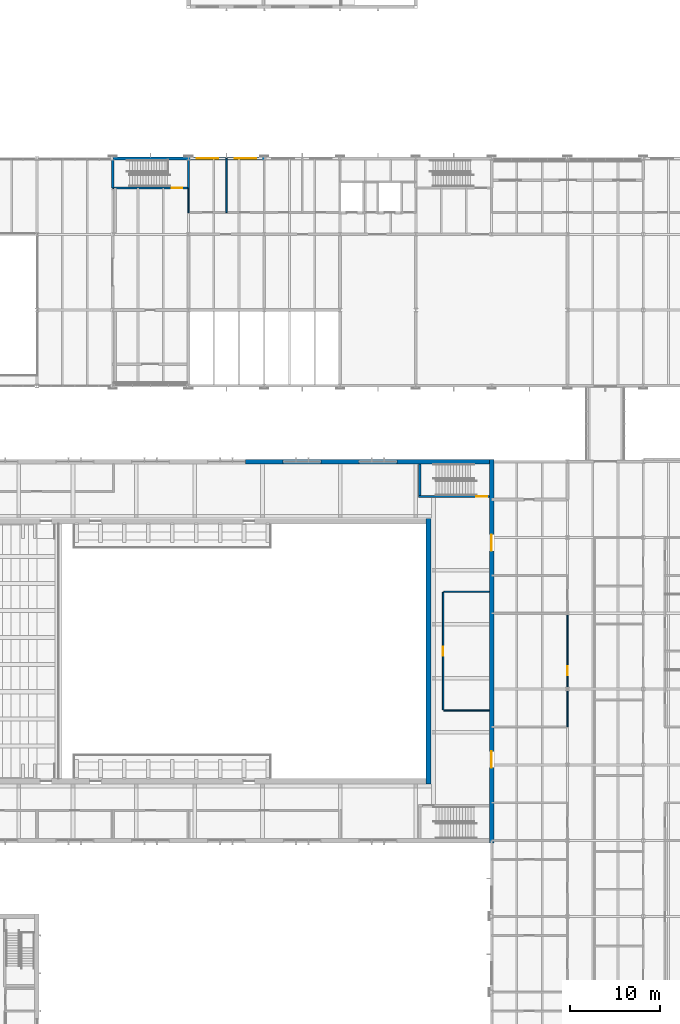
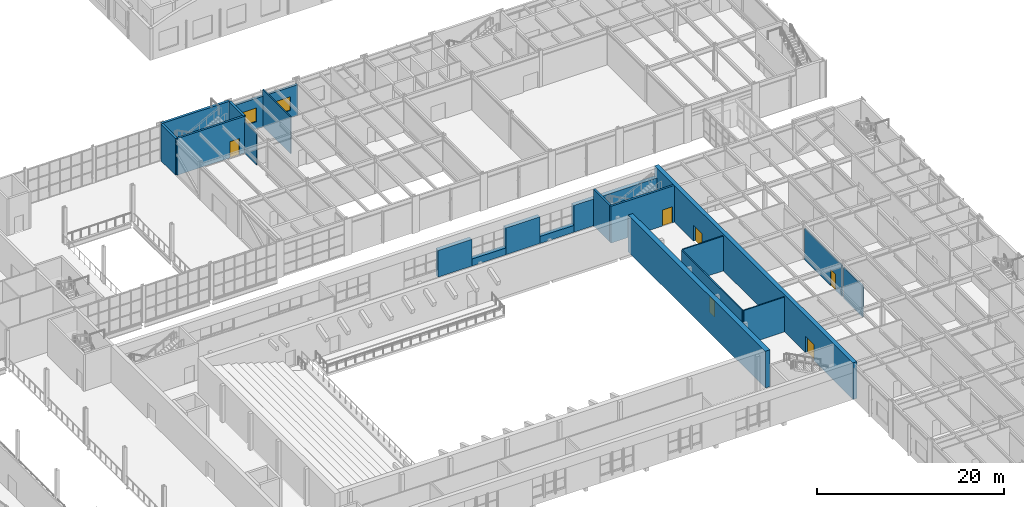
# One storey, part 80 of 127: 21 walls, 6 doors, 2 windows, 8 openings.
"""IFC4 building model written with IfcOpenShell, lengths in metres."""

from ifc_helpers import new_model, si_unit, direction, frame, frame_2d, origin, place, context, subcontext, project, spatial, rectangle, extrude, material, layer, layer_set, type_object, element, fill, save


model = new_model("IFC4")

# Units and contexts
model_context = context("Model", 3, precision=1e-05, world=origin(), true_north=direction((0.0, 1.0)))
body_context = subcontext(model_context, "Body", "Model", "MODEL_VIEW")
ifc_project = project(units=[si_unit("LENGTHUNIT", "METRE"), si_unit("AREAUNIT", "SQUARE_METRE"), si_unit("VOLUMEUNIT", "CUBIC_METRE"), si_unit("PLANEANGLEUNIT", "RADIAN"), si_unit("MASSUNIT", "GRAM", prefix="KILO")], contexts=[model_context])

# Site, building, storey
site_placement = place(None, origin())
site = spatial("IfcSite", under=ifc_project, at=site_placement, CompositionType="ELEMENT")
building_placement = place(site_placement, origin())
building = spatial("IfcBuilding", under=site, at=building_placement, Name="Ljudholm Concert House", CompositionType="ELEMENT")
storey_placement = place(building_placement, frame((0.0, 0.0, 5.39990234375)))
storey = spatial("IfcBuildingStorey", under=building, at=storey_placement, Name="L01", CompositionType="ELEMENT", Elevation=5.39990234375)

# Wall, opening, door
ifc_material_1 = material(Name="Gypsum board on steel studs", Category="steel")
ifc_layer_1 = layer(ifc_material_1, 0.14990234375)
ifc_layer_set_1 = layer_set([ifc_layer_1], Name="Gypsum board on steel studs")
wall_type_1 = type_object("IfcWallType", Name="GYPSUM PARTITION 150", PredefinedType="PARTITIONING", material=ifc_layer_set_1)
wall_1_placement = place(storey_placement, frame((91.02490234375, 68.89990234375, 0.0), z_axis=(0.0, 0.0, 1.0), x_axis=(0.0, 1.0, 0.0)))
wall_1 = element("IfcWall", 1, at=wall_1_placement, inside=storey, type_object=wall_type_1, Name="Organ Chamber partition", PredefinedType="PARTITIONING", context=body_context, shape_type="SweptSolid", body=[
    extrude(rectangle(XDim=13.0, YDim=0.14990234375, at=frame_2d((6.5, 0.0))), origin(), (0.0, 0.0, 1.0), 4.550048828125),
])
opening_1_placement = place(wall_1_placement, frame((6.0, 0.0, 0.0)))
opening_1 = element("IfcOpeningElement", 2, at=opening_1_placement, cuts=wall_1, Name="Opening D-H01-008", PredefinedType="OPENING", context=body_context, shape_type="SweptSolid", body=[
    extrude(rectangle(XDim=1.0, YDim=2.10009765625, at=frame_2d((0.5, 1.050048828125))), frame((0.0, 0.0849609375, 0.0), z_axis=(0.0, -1.0, 0.0), x_axis=(1.0, 0.0, 0.0)), (0.0, 0.0, 1.0), 0.169921875),
])
ifc_material_2 = material(Name="Hollow metal door in steel frame", Category="steel")
door_type_1 = type_object("IfcDoorType", Name="SWING DOOR 1000x2100", OperationType="SINGLE_SWING_LEFT", PredefinedType="DOOR", material=ifc_material_2)
door_1_placement = place(opening_1_placement, frame((1.0, 0.0, 0.0), z_axis=(0.0, 0.0, 1.0), x_axis=(-1.0, 0.0, 0.0)))
door_1 = element("IfcDoor", 3, at=door_1_placement, inside=storey, type_object=door_type_1, Name="Organ Chamber door", OperationType="SINGLE_SWING_RIGHT", OverallHeight=2.10009765625, OverallWidth=1.0, PredefinedType="DOOR", context=body_context, shape_type="SweptSolid", body=[
    extrude(rectangle(XDim=1.0, YDim=2.10009765625, at=frame_2d((0.5, 1.050048828125))), frame((0.0, 0.02490234375, 0.0), z_axis=(0.0, -1.0, 0.0), x_axis=(1.0, 0.0, 0.0)), (0.0, 0.0, 1.0), 0.050048828125),
])
fill(opening_1, door_1)

# Walls
for number, where, z_axis, x_axis, name in (
    (4, (91.10009765625, 68.824951171875, 0.0), (0.0, 0.0, 1.0), (1.0, 0.0, 0.0), "Organ Chamber partition"),
    (5, (91.10009765625, 81.97509765625, 0.0), (0.0, 0.0, 1.0), (1.0, 0.0, 0.0), "Organ Chamber partition"),
):
    element("IfcWall", number, at=place(storey_placement, frame(where, z_axis=z_axis, x_axis=x_axis)), inside=storey, type_object=wall_type_1, Name=name, PredefinedType="PARTITIONING", context=body_context, shape_type="SweptSolid", body=[
        extrude(rectangle(XDim=5.0498046875, YDim=0.14990234375, at=frame_2d((2.52490234375, 0.0))), origin(), (0.0, 0.0, 1.0), 4.550048828125),
    ])
wall_2_placement = place(storey_placement, frame((104.800048828125, 67.0, 0.0), z_axis=(0.0, 0.0, 1.0), x_axis=(0.0, 1.0, 0.0)))
element("IfcWall", 6, at=wall_2_placement, inside=storey, type_object=wall_type_1, Name="Partition", PredefinedType="PARTITIONING", context=body_context, shape_type="SweptSolid", body=[
    extrude(rectangle(XDim=4.013427734375, YDim=0.14990234375, at=frame_2d((2.0068359375, 0.0))), origin(), (0.0, 0.0, 1.0), 4.086669921875),
])

# Wall, opening, door
wall_3_placement = place(storey_placement, frame((104.800048828125, 71.38671875, 0.0), z_axis=(0.0, 0.0, 1.0), x_axis=(0.0, 1.0, 0.0)))
wall_3 = element("IfcWall", 7, at=wall_3_placement, inside=storey, type_object=wall_type_1, Name="Partition", PredefinedType="PARTITIONING", context=body_context, shape_type="SweptSolid", body=[
    extrude(rectangle(XDim=8.026611328125, YDim=0.14990234375, at=frame_2d((4.01318359375, 0.0))), origin(), (0.0, 0.0, 1.0), 4.086669921875),
])
opening_2_placement = place(wall_3_placement, frame((1.36328125, 0.0, 0.0)))
opening_2 = element("IfcOpeningElement", 8, at=opening_2_placement, cuts=wall_3, Name="Opening D-W01-019", PredefinedType="OPENING", context=body_context, shape_type="SweptSolid", body=[
    extrude(rectangle(XDim=1.0, YDim=2.10009765625, at=frame_2d((0.5, 1.050048828125))), frame((0.0, 0.0849609375, 0.0), z_axis=(0.0, -1.0, 0.0), x_axis=(1.0, 0.0, 0.0)), (0.0, 0.0, 1.0), 0.169921875),
])
door_2_placement = place(opening_2_placement, origin())
door_2 = element("IfcDoor", 9, at=door_2_placement, inside=storey, type_object=door_type_1, Name="Door", OperationType="SINGLE_SWING_LEFT", OverallHeight=2.10009765625, OverallWidth=1.0, PredefinedType="DOOR", context=body_context, shape_type="SweptSolid", body=[
    extrude(rectangle(XDim=1.0, YDim=2.10009765625, at=frame_2d((0.5, 1.050048828125))), frame((0.0, 0.02490234375, 0.0), z_axis=(0.0, -1.0, 0.0), x_axis=(1.0, 0.0, 0.0)), (0.0, 0.0, 1.0), 0.050048828125),
])
fill(opening_2, door_2)

# Walls
wall_4_placement = place(storey_placement, frame((62.800048828125, 124.0, 0.0), z_axis=(0.0, 0.0, 1.0), x_axis=(0.0, 1.0, 0.0)))
element("IfcWall", 10, at=wall_4_placement, inside=storey, type_object=wall_type_1, Name="Partition", PredefinedType="PARTITIONING", context=body_context, shape_type="SweptSolid", body=[
    extrude(rectangle(XDim=2.72509765625, YDim=0.14990234375, at=frame_2d((1.362548828125, 0.0))), origin(), (0.0, 0.0, 1.0), 4.086669921875),
])
wall_5_placement = place(storey_placement, frame((67.0, 124.0, 0.0), z_axis=(0.0, 0.0, 1.0), x_axis=(0.0, 1.0, 0.0)))
element("IfcWall", 11, at=wall_5_placement, inside=storey, type_object=wall_type_1, Name="Partition", PredefinedType="PARTITIONING", context=body_context, shape_type="SweptSolid", body=[
    extrude(rectangle(XDim=6.0, YDim=0.14990234375, at=frame_2d((3.0, 0.0))), origin(), (0.0, 0.0, 1.0), 4.800048828125),
])

# Wall, openings, windows
ifc_material_3 = material(Name="Precast concrete 5,000 psi", Category="concrete")
ifc_layer_2 = layer(ifc_material_3, 0.300048828125)
ifc_layer_set_2 = layer_set([ifc_layer_2], Name="Precast concrete 5,000 psi")
wall_type_2 = type_object("IfcWallType", Name="PRECAST PANEL WALL 300", PredefinedType="SOLIDWALL", material=ifc_layer_set_2)
wall_6_placement = place(storey_placement, frame((62.791748046875, 130.0, 0.0), z_axis=(0.0, 0.0, 1.0), x_axis=(1.0, 0.0, 0.0)))
wall_6 = element("IfcWall", 12, at=wall_6_placement, inside=storey, type_object=wall_type_2, Name="Facade wall", PredefinedType="SOLIDWALL", context=body_context, shape_type="SweptSolid", body=[
    extrude(rectangle(XDim=8.41650390625, YDim=0.300048828125, at=frame_2d((4.208251953125, 0.0))), origin(), (0.0, 0.0, 1.0), 4.008056640625),
])
opening_3_placement = place(wall_6_placement, frame((0.908203125, 0.0, 0.949951171875)))
opening_3 = element("IfcOpeningElement", 13, at=opening_3_placement, cuts=wall_6, Name="Opening X-R01-001", PredefinedType="OPENING", context=body_context, shape_type="SweptSolid", body=[
    extrude(rectangle(XDim=2.39990234375, YDim=1.800048828125, at=frame_2d((1.199951171875, 0.89990234375))), frame((0.0, 0.159912109375, 0.0), z_axis=(0.0, -1.0, 0.0), x_axis=(1.0, 0.0, 0.0)), (0.0, 0.0, 1.0), 0.320068359375),
])
opening_4_placement = place(wall_6_placement, frame((5.108154296875, 0.0, 0.949951171875)))
opening_4 = element("IfcOpeningElement", 14, at=opening_4_placement, cuts=wall_6, Name="Opening X-R01-002", PredefinedType="OPENING", context=body_context, shape_type="SweptSolid", body=[
    extrude(rectangle(XDim=2.39990234375, YDim=1.800048828125, at=frame_2d((1.199951171875, 0.89990234375))), frame((0.0, 0.159912109375, 0.0), z_axis=(0.0, -1.0, 0.0), x_axis=(1.0, 0.0, 0.0)), (0.0, 0.0, 1.0), 0.320068359375),
])
ifc_material_4 = material(Name="Aluminium frame, impact glazing", Category="aluminium")
window_type = type_object("IfcWindowType", Name="CASEMENT WINDOW 2400x1800", PartitioningType="DOUBLE_PANEL_VERTICAL", PredefinedType="WINDOW", material=ifc_material_4)
window_1_placement = place(opening_3_placement, origin())
window_1 = element("IfcWindow", 15, at=window_1_placement, inside=storey, type_object=window_type, Name="Window", OverallHeight=1.800048828125, OverallWidth=2.39990234375, PartitioningType="DOUBLE_PANEL_VERTICAL", PredefinedType="WINDOW", context=body_context, shape_type="SweptSolid", body=[
    extrude(rectangle(XDim=2.39990234375, YDim=1.800048828125, at=frame_2d((1.199951171875, 0.89990234375))), frame((0.0, 0.030029296875, 0.0), z_axis=(0.0, -1.0, 0.0), x_axis=(1.0, 0.0, 0.0)), (0.0, 0.0, 1.0), 0.06005859375),
])
fill(opening_3, window_1)
window_2_placement = place(opening_4_placement, origin())
window_2 = element("IfcWindow", 16, at=window_2_placement, inside=storey, type_object=window_type, Name="Window", OverallHeight=1.800048828125, OverallWidth=2.39990234375, PartitioningType="DOUBLE_PANEL_VERTICAL", PredefinedType="WINDOW", context=body_context, shape_type="SweptSolid", body=[
    extrude(rectangle(XDim=2.39990234375, YDim=1.800048828125, at=frame_2d((1.199951171875, 0.89990234375))), frame((0.0, 0.030029296875, 0.0), z_axis=(0.0, -1.0, 0.0), x_axis=(1.0, 0.0, 0.0)), (0.0, 0.0, 1.0), 0.06005859375),
])
fill(opening_4, window_2)

# Wall
ifc_material_5 = material(Name="Concrete 6,500 psi", Category="concrete")
ifc_layer_3 = layer(ifc_material_5, 0.25)
ifc_layer_set_3 = layer_set([ifc_layer_3], Name="Concrete 6,500 psi")
wall_type_3 = type_object("IfcWallType", Name="RC CORE WALL 250", PredefinedType="SHEAR", material=ifc_layer_set_3)
wall_7_placement = place(storey_placement, frame((62.800048828125, 126.72509765625, 0.0), z_axis=(0.0, 0.0, 1.0), x_axis=(0.0, 1.0, 0.0)))
element("IfcWall", 17, at=wall_7_placement, inside=storey, type_object=wall_type_3, Name="Stair core wall", PredefinedType="SHEAR", context=body_context, shape_type="SweptSolid", body=[
    extrude(rectangle(XDim=3.088134765625, YDim=0.25, at=frame_2d((1.5439453125, 0.0))), origin(), (0.0, 0.0, 1.0), 4.800048828125),
])

# Wall, opening, door
wall_8_placement = place(storey_placement, frame((54.39990234375, 126.72509765625, 0.0), z_axis=(0.0, 0.0, 1.0), x_axis=(1.0, 0.0, 0.0)))
wall_8 = element("IfcWall", 18, at=wall_8_placement, inside=storey, type_object=wall_type_3, Name="Stair core wall", PredefinedType="SHEAR", context=body_context, shape_type="SweptSolid", body=[
    extrude(rectangle(XDim=8.400146484375, YDim=0.25, at=frame_2d((4.2001953125, 0.0))), origin(), (0.0, 0.0, 1.0), 4.800048828125),
])
opening_5_placement = place(wall_8_placement, frame((6.52490234375, 0.0, 0.0)))
opening_5 = element("IfcOpeningElement", 19, at=opening_5_placement, cuts=wall_8, Name="Opening D-R01-003", PredefinedType="OPENING", context=body_context, shape_type="SweptSolid", body=[
    extrude(rectangle(XDim=1.199951171875, YDim=2.10009765625, at=frame_2d((0.60009765625, 1.050048828125))), frame((0.0, 0.135009765625, 0.0), z_axis=(0.0, -1.0, 0.0), x_axis=(1.0, 0.0, 0.0)), (0.0, 0.0, 1.0), 0.27001953125),
])
ifc_material_6 = material(Name="Hollow metal door in steel frame", Category="steel")
door_type_2 = type_object("IfcDoorType", Name="SWING DOOR 1200x2100", OperationType="SINGLE_SWING_LEFT", PredefinedType="DOOR", material=ifc_material_6)
door_3_placement = place(opening_5_placement, frame((1.199951171875, 0.0, 0.0), z_axis=(0.0, 0.0, 1.0), x_axis=(-1.0, 0.0, 0.0)))
door_3 = element("IfcDoor", 20, at=door_3_placement, inside=storey, type_object=door_type_2, Name="Door", OperationType="SINGLE_SWING_LEFT", OverallHeight=2.10009765625, OverallWidth=1.199951171875, PredefinedType="DOOR", context=body_context, shape_type="SweptSolid", body=[
    extrude(rectangle(XDim=1.199951171875, YDim=2.10009765625, at=frame_2d((0.60009765625, 1.050048828125))), frame((0.0, 0.02490234375, 0.0), z_axis=(0.0, -1.0, 0.0), x_axis=(1.0, 0.0, 0.0)), (0.0, 0.0, 1.0), 0.050048828125),
])
fill(opening_5, door_3)

# Walls
ifc_material_7 = material(Name="Concrete 6,500 psi", Category="concrete")
ifc_layer_4 = layer(ifc_material_7, 0.300048828125)
ifc_layer_set_4 = layer_set([ifc_layer_4], Name="Concrete 6,500 psi")
wall_type_4 = type_object("IfcWallType", Name="RC CORE WALL 300", PredefinedType="SHEAR", material=ifc_layer_set_4)
wall_9_placement = place(storey_placement, frame((54.408203125, 130.0, 0.0), z_axis=(0.0, 0.0, 1.0), x_axis=(1.0, 0.0, 0.0)))
element("IfcWall", 21, at=wall_9_placement, inside=storey, type_object=wall_type_4, Name="Stair core wall", PredefinedType="SHEAR", context=body_context, shape_type="SweptSolid", body=[
    extrude(rectangle(XDim=8.39990234375, YDim=0.300048828125, at=frame_2d((4.199951171875, 0.0))), origin(), (0.0, 0.0, 1.0), 4.800048828125),
])
ifc_material_8 = material(Name="Concrete 6,500 psi", Category="concrete")
ifc_layer_5 = layer(ifc_material_8, 0.300048828125)
ifc_layer_set_5 = layer_set([ifc_layer_5], Name="Concrete 6,500 psi")
wall_type_5 = type_object("IfcWallType", Name="RC CORE WALL 300 INTERNAL", PredefinedType="SHEAR", material=ifc_layer_set_5)
wall_10_placement = place(storey_placement, frame((54.39990234375, 126.72509765625, 0.0), z_axis=(0.0, 0.0, 1.0), x_axis=(0.0, 1.0, 0.0)))
element("IfcWall", 22, at=wall_10_placement, inside=storey, type_object=wall_type_5, Name="Stair core wall", PredefinedType="SHEAR", context=body_context, shape_type="SweptSolid", body=[
    extrude(rectangle(XDim=3.088134765625, YDim=0.300048828125, at=frame_2d((1.5439453125, 0.0))), origin(), (0.0, 0.0, 1.0), 4.800048828125),
])

# Wall, opening, door
ifc_material_9 = material(Name="Concrete 6,500 psi", Category="concrete")
ifc_layer_6 = layer(ifc_material_9, 0.25)
ifc_layer_set_6 = layer_set([ifc_layer_6], Name="Concrete 6,500 psi")
wall_type_6 = type_object("IfcWallType", Name="RC WALL 250", PredefinedType="SOLIDWALL", material=ifc_layer_set_6)
wall_11_placement = place(storey_placement, frame((88.300048828125, 92.52490234375, 0.0), z_axis=(0.0, 0.0, 1.0), x_axis=(1.0, 0.0, 0.0)))
wall_11 = element("IfcWall", 23, at=wall_11_placement, inside=storey, type_object=wall_type_6, Name="Stair enclosure wall EH4", PredefinedType="SOLIDWALL", context=body_context, shape_type="SweptSolid", body=[
    extrude(rectangle(XDim=7.849853515625, YDim=0.25, at=frame_2d((3.9248046875, 0.0))), origin(), (0.0, 0.0, 1.0), 4.800048828125),
])
opening_6_placement = place(wall_11_placement, frame((6.39990234375, 0.0, 0.0)))
opening_6 = element("IfcOpeningElement", 24, at=opening_6_placement, cuts=wall_11, Name="Opening D-H01-012", PredefinedType="OPENING", context=body_context, shape_type="SweptSolid", body=[
    extrude(rectangle(XDim=1.199951171875, YDim=2.10009765625, at=frame_2d((0.60009765625, 1.050048828125))), frame((0.0, 0.135009765625, 0.0), z_axis=(0.0, -1.0, 0.0), x_axis=(1.0, 0.0, 0.0)), (0.0, 0.0, 1.0), 0.27001953125),
])
door_4_placement = place(opening_6_placement, origin())
door_4 = element("IfcDoor", 25, at=door_4_placement, inside=storey, type_object=door_type_2, Name="Exit stair EH4 door", OperationType="SINGLE_SWING_LEFT", OverallHeight=2.10009765625, OverallWidth=1.199951171875, PredefinedType="DOOR", context=body_context, shape_type="SweptSolid", body=[
    extrude(rectangle(XDim=1.199951171875, YDim=2.10009765625, at=frame_2d((0.60009765625, 1.050048828125))), frame((0.0, 0.02490234375, 0.0), z_axis=(0.0, -1.0, 0.0), x_axis=(1.0, 0.0, 0.0)), (0.0, 0.0, 1.0), 0.050048828125),
])
fill(opening_6, door_4)

# Wall
wall_12_placement = place(storey_placement, frame((88.425048828125, 92.64990234375, 0.0), z_axis=(0.0, 0.0, 1.0), x_axis=(0.0, 1.0, 0.0)))
element("IfcWall", 26, at=wall_12_placement, inside=storey, type_object=wall_type_6, Name="Stair enclosure wall EH4", PredefinedType="SOLIDWALL", context=body_context, shape_type="SweptSolid", body=[
    extrude(rectangle(XDim=3.5, YDim=0.25, at=frame_2d((1.75, 0.0))), origin(), (0.0, 0.0, 1.0), 4.800048828125),
])

# Wall, openings, doors
ifc_material_10 = material(Name="Concrete 6,500 psi", Category="concrete")
ifc_layer_7 = layer(ifc_material_10, 0.5)
ifc_layer_set_7 = layer_set([ifc_layer_7], Name="Concrete 6,500 psi")
wall_type_7 = type_object("IfcWallType", Name="RC WALL 500", PredefinedType="SOLIDWALL", material=ifc_layer_set_7)
wall_13_placement = place(storey_placement, frame((96.39990234375, 54.14990234375, 0.0), z_axis=(0.0, 0.0, 1.0), x_axis=(0.0, 1.0, 0.0)))
wall_13 = element("IfcWall", 27, at=wall_13_placement, inside=storey, type_object=wall_type_7, Name="Outer wall E", PredefinedType="SOLIDWALL", context=body_context, shape_type="SweptSolid", body=[
    extrude(rectangle(XDim=42.5, YDim=0.5, at=frame_2d((21.25, 0.0))), origin(), (0.0, 0.0, 1.0), 4.800048828125),
])
opening_7_placement = place(wall_13_placement, frame((8.35009765625, 0.0, 0.0)))
opening_7 = element("IfcOpeningElement", 28, at=opening_7_placement, cuts=wall_13, Name="Opening D-H01-016", PredefinedType="OPENING", context=body_context, shape_type="SweptSolid", body=[
    extrude(rectangle(XDim=1.800048828125, YDim=2.10009765625, at=frame_2d((0.89990234375, 1.050048828125))), frame((0.0, 0.260009765625, 0.0), z_axis=(0.0, -1.0, 0.0), x_axis=(1.0, 0.0, 0.0)), (0.0, 0.0, 1.0), 0.52001953125),
])
opening_8_placement = place(wall_13_placement, frame((32.35009765625, 0.0, 0.0)))
opening_8 = element("IfcOpeningElement", 29, at=opening_8_placement, cuts=wall_13, Name="Opening D-H01-017", PredefinedType="OPENING", context=body_context, shape_type="SweptSolid", body=[
    extrude(rectangle(XDim=1.800048828125, YDim=2.10009765625, at=frame_2d((0.89990234375, 1.050048828125))), frame((0.0, 0.260009765625, 0.0), z_axis=(0.0, -1.0, 0.0), x_axis=(1.0, 0.0, 0.0)), (0.0, 0.0, 1.0), 0.52001953125),
])
ifc_material_11 = material(Name="Hollow metal door in steel frame", Category="steel")
door_type_3 = type_object("IfcDoorType", Name="DOUBLE DOOR 1800x2100", OperationType="DOUBLE_DOOR_SINGLE_SWING", PredefinedType="DOOR", material=ifc_material_11)
door_5_placement = place(opening_7_placement, origin())
door_5 = element("IfcDoor", 30, at=door_5_placement, inside=storey, type_object=door_type_3, Name="Port P-HB-1 door", OperationType="DOUBLE_DOOR_SINGLE_SWING", OverallHeight=2.10009765625, OverallWidth=1.800048828125, PredefinedType="DOOR", context=body_context, shape_type="SweptSolid", body=[
    extrude(rectangle(XDim=1.800048828125, YDim=2.10009765625, at=frame_2d((0.89990234375, 1.050048828125))), frame((0.0, 0.02490234375, 0.0), z_axis=(0.0, -1.0, 0.0), x_axis=(1.0, 0.0, 0.0)), (0.0, 0.0, 1.0), 0.050048828125),
])
fill(opening_7, door_5)
door_6_placement = place(opening_8_placement, origin())
door_6 = element("IfcDoor", 31, at=door_6_placement, inside=storey, type_object=door_type_3, Name="Port P-HB-3 door", OperationType="DOUBLE_DOOR_SINGLE_SWING", OverallHeight=2.10009765625, OverallWidth=1.800048828125, PredefinedType="DOOR", context=body_context, shape_type="SweptSolid", body=[
    extrude(rectangle(XDim=1.800048828125, YDim=2.10009765625, at=frame_2d((0.89990234375, 1.050048828125))), frame((0.0, 0.02490234375, 0.0), z_axis=(0.0, -1.0, 0.0), x_axis=(1.0, 0.0, 0.0)), (0.0, 0.0, 1.0), 0.050048828125),
])
fill(opening_8, door_6)

# Walls
for number, where, z_axis, x_axis, name in (
    (32, (69.10009765625, 96.39990234375, 0.0), (0.0, 0.0, 1.0), (1.0, 0.0, 0.0), "Outer wall N"),
    (33, (77.5, 96.39990234375, 0.0), (0.0, 0.0, 1.0), (1.0, 0.0, 0.0), "Outer wall N"),
):
    element("IfcWall", number, at=place(storey_placement, frame(where, z_axis=z_axis, x_axis=x_axis)), inside=storey, type_object=wall_type_7, Name=name, PredefinedType="SOLIDWALL", context=body_context, shape_type="SweptSolid", body=[
        extrude(rectangle(XDim=4.199951171875, YDim=0.5, at=frame_2d((2.10009765625, 0.0))), origin(), (0.0, 0.0, 1.0), 3.5),
    ])
wall_14_placement = place(storey_placement, frame((85.89990234375, 96.39990234375, 0.0), z_axis=(0.0, 0.0, 1.0), x_axis=(1.0, 0.0, 0.0)))
element("IfcWall", 34, at=wall_14_placement, inside=storey, type_object=wall_type_7, Name="Outer wall N", PredefinedType="SOLIDWALL", context=body_context, shape_type="SweptSolid", body=[
    extrude(rectangle(XDim=10.25, YDim=0.5, at=frame_2d((5.125, 0.0))), origin(), (0.0, 0.0, 1.0), 3.5),
])
for number, where, z_axis, x_axis, name in (
    (35, (73.300048828125, 96.39990234375, 0.0), (0.0, 0.0, 1.0), (1.0, 0.0, 0.0), "Outer wall N"),
    (36, (81.699951171875, 96.39990234375, 0.0), (0.0, 0.0, 1.0), (1.0, 0.0, 0.0), "Outer wall N"),
):
    element("IfcWall", number, at=place(storey_placement, frame(where, z_axis=z_axis, x_axis=x_axis)), inside=storey, type_object=wall_type_7, Name=name, PredefinedType="SOLIDWALL", context=body_context, shape_type="SweptSolid", body=[
        extrude(rectangle(XDim=4.199951171875, YDim=0.5, at=frame_2d((2.10009765625, 0.0))), origin(), (0.0, 0.0, 1.0), 0.900146484375),
    ])
ifc_material_12 = material(Name="Concrete 6,500 psi", Category="concrete")
ifc_layer_8 = layer(ifc_material_12, 0.60009765625)
ifc_layer_set_8 = layer_set([ifc_layer_8], Name="Concrete 6,500 psi")
wall_type_8 = type_object("IfcWallType", Name="RC WALL 600", PredefinedType="SOLIDWALL", material=ifc_layer_set_8)
wall_15_placement = place(storey_placement, frame((89.39990234375, 60.699951171875, 0.0), z_axis=(0.0, 0.0, 1.0), x_axis=(0.0, 1.0, 0.0)))
element("IfcWall", 37, at=wall_15_placement, inside=storey, type_object=wall_type_8, Name="Inner box wall E", PredefinedType="SOLIDWALL", context=body_context, shape_type="SweptSolid", body=[
    extrude(rectangle(XDim=29.400146484375, YDim=0.60009765625, at=frame_2d((14.7001953125, 0.0))), origin(), (0.0, 0.0, 1.0), 4.800048828125),
])

save(model, "model.ifc")
